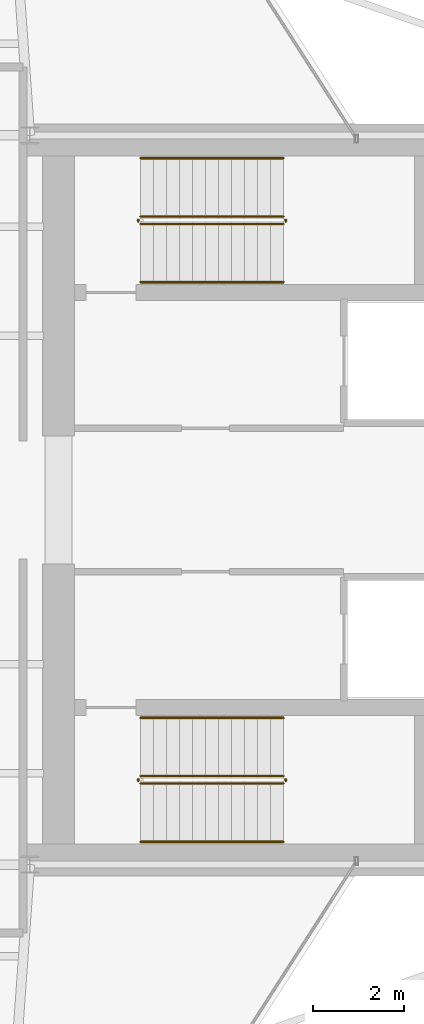
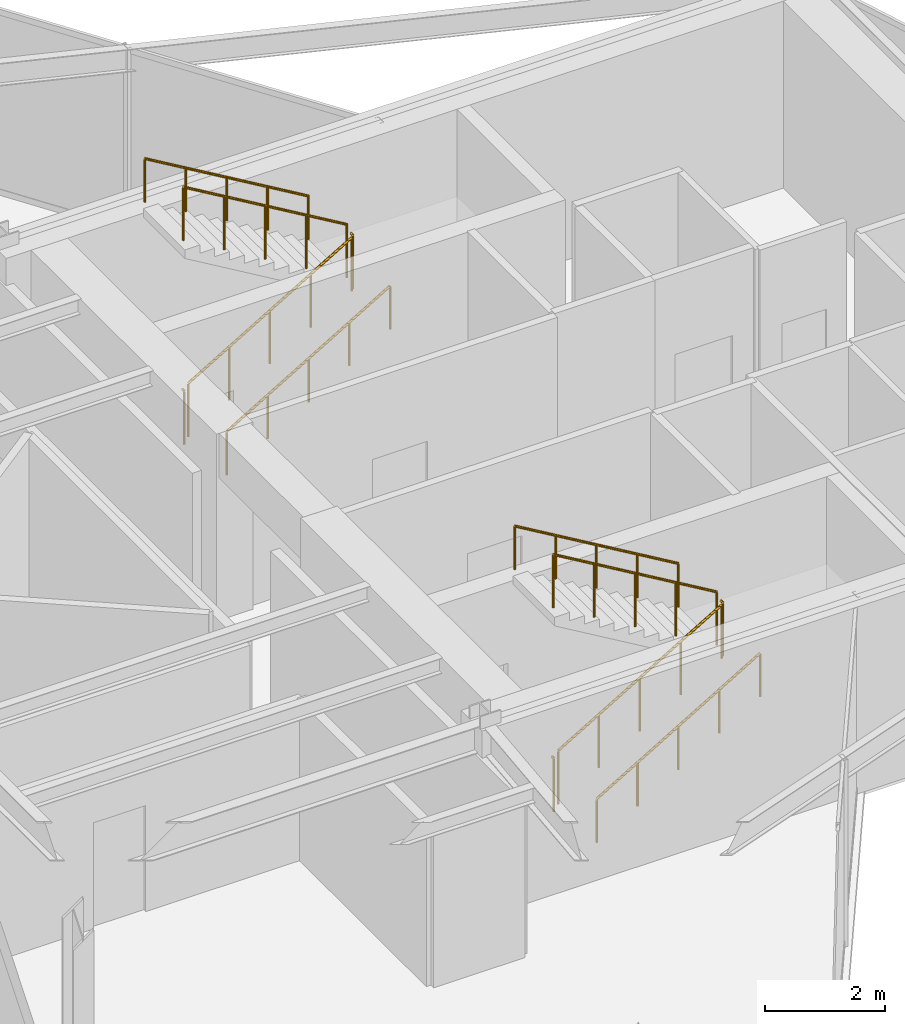
# One storey, part 23 of 23: 12 railings.
"""IFC4 building model written with IfcOpenShell, lengths in metres."""

from ifc_helpers import new_model, si_unit, direction, frame, origin, origin_2d, place, context, subcontext, project, spatial, circle, extrude, material, type_object, element, save


model = new_model("IFC4")

# Units and contexts
model_context = context("Model", 3, precision=1e-05, world=origin(), true_north=direction((0.0, 1.0)))
body_context = subcontext(model_context, "Body", "Model", "MODEL_VIEW")
ifc_project = project(units=[si_unit("LENGTHUNIT", "METRE"), si_unit("AREAUNIT", "SQUARE_METRE"), si_unit("VOLUMEUNIT", "CUBIC_METRE"), si_unit("PLANEANGLEUNIT", "RADIAN"), si_unit("MASSUNIT", "GRAM", prefix="KILO")], contexts=[model_context])

# Site, building, storey
site_placement = place(None, origin())
site = spatial("IfcSite", under=ifc_project, at=site_placement, CompositionType="ELEMENT")
building_placement = place(site_placement, origin())
building = spatial("IfcBuilding", under=site, at=building_placement, Name="Veymaron Broadcast Tower", CompositionType="ELEMENT")
storey_placement = place(building_placement, frame((0.0, 0.0, 199.949951171875)))
storey = spatial("IfcBuildingStorey", under=building, at=storey_placement, Name="L46", CompositionType="ELEMENT", Elevation=199.949951171875)

# Railings
ifc_material_1 = material(Name="Brushed stainless steel AISI 304", Category="steel")
railing_type_1 = type_object("IfcRailingType", Name="RAIL-STAIR-HR", PredefinedType="HANDRAIL", material=ifc_material_1)
railing_1_placement = place(storey_placement, frame((41.429931640625, 28.780029296875, 0.168701171875)))
element("IfcRailing", 1, at=railing_1_placement, inside=storey, type_object=railing_type_1, Name="L46 ST1 stair handrail 1", PredefinedType="HANDRAIL", context=body_context, shape_type="SweptSolid", body=[
    extrude(circle(Radius=0.02392578125, at=origin_2d()), frame((0.0, 0.0, 0.8759765625), z_axis=(0.860452582533, 0.0, 0.509530522356), x_axis=(0.0, 1.0, 0.0)), (0.0, 0.0, 1.0), 3.6435546875),
    extrude(circle(Radius=0.02099609375, at=origin_2d()), origin(), (0.0, 0.0, 1.0), 0.851806640625),
    extrude(circle(Radius=0.02099609375, at=origin_2d()), frame((0.78369140625, 0.0, 0.464111328125)), (0.0, 0.0, 1.0), 0.851806640625),
    extrude(circle(Radius=0.02099609375, at=origin_2d()), frame((1.5673828125, 0.0, 0.92822265625)), (0.0, 0.0, 1.0), 0.851806640625),
    extrude(circle(Radius=0.02099609375, at=origin_2d()), frame((2.351318359375, 0.0, 1.392333984375)), (0.0, 0.0, 1.0), 0.851806640625),
    extrude(circle(Radius=0.02099609375, at=origin_2d()), frame((3.135009765625, 0.0, 1.8564453125)), (0.0, 0.0, 1.0), 0.851806640625),
])
railing_2_placement = place(storey_placement, frame((44.56494140625, 31.5, 2.19384765625)))
element("IfcRailing", 2, at=railing_2_placement, inside=storey, type_object=railing_type_1, Name="L46 ST1 stair handrail 2", PredefinedType="HANDRAIL", context=body_context, shape_type="SweptSolid", body=[
    extrude(circle(Radius=0.02392578125, at=origin_2d()), frame((0.0, 0.0, 0.8759765625), z_axis=(-0.860481960309, 0.0, 0.509480908359), x_axis=(0.0, -1.0, 0.0)), (0.0, 0.0, 1.0), 3.643310546875),
    extrude(circle(Radius=0.02099609375, at=origin_2d()), origin(), (0.0, 0.0, 1.0), 0.851806640625),
    extrude(circle(Radius=0.02099609375, at=origin_2d()), frame((-0.78369140625, 0.0, 0.464111328125)), (0.0, 0.0, 1.0), 0.851806640625),
    extrude(circle(Radius=0.02099609375, at=origin_2d()), frame((-1.5673828125, 0.0, 0.92822265625)), (0.0, 0.0, 1.0), 0.851806640625),
    extrude(circle(Radius=0.02099609375, at=origin_2d()), frame((-2.351318359375, 0.0, 1.39208984375)), (0.0, 0.0, 1.0), 0.851806640625),
    extrude(circle(Radius=0.02099609375, at=origin_2d()), frame((-3.135009765625, 0.0, 1.856201171875)), (0.0, 0.0, 1.0), 0.851806640625),
])
railing_3_placement = place(storey_placement, frame((41.429931640625, 16.5, 0.168701171875)))
element("IfcRailing", 3, at=railing_3_placement, inside=storey, type_object=railing_type_1, Name="L46 ST2 stair handrail 1", PredefinedType="HANDRAIL", context=body_context, shape_type="SweptSolid", body=[
    extrude(circle(Radius=0.02392578125, at=origin_2d()), frame((0.0, 0.0, 0.8759765625), z_axis=(0.860452582533, 0.0, 0.509530522356), x_axis=(0.0, 1.0, 0.0)), (0.0, 0.0, 1.0), 3.6435546875),
    extrude(circle(Radius=0.02099609375, at=origin_2d()), origin(), (0.0, 0.0, 1.0), 0.851806640625),
    extrude(circle(Radius=0.02099609375, at=origin_2d()), frame((0.78369140625, 0.0, 0.464111328125)), (0.0, 0.0, 1.0), 0.851806640625),
    extrude(circle(Radius=0.02099609375, at=origin_2d()), frame((1.5673828125, 0.0, 0.92822265625)), (0.0, 0.0, 1.0), 0.851806640625),
    extrude(circle(Radius=0.02099609375, at=origin_2d()), frame((2.351318359375, 0.0, 1.392333984375)), (0.0, 0.0, 1.0), 0.851806640625),
    extrude(circle(Radius=0.02099609375, at=origin_2d()), frame((3.135009765625, 0.0, 1.8564453125)), (0.0, 0.0, 1.0), 0.851806640625),
])
railing_4_placement = place(storey_placement, frame((44.56494140625, 19.219970703125, 2.19384765625)))
element("IfcRailing", 4, at=railing_4_placement, inside=storey, type_object=railing_type_1, Name="L46 ST2 stair handrail 2", PredefinedType="HANDRAIL", context=body_context, shape_type="SweptSolid", body=[
    extrude(circle(Radius=0.02392578125, at=origin_2d()), frame((0.0, 0.0, 0.8759765625), z_axis=(-0.860481960309, 0.0, 0.509480908359), x_axis=(0.0, -1.0, 0.0)), (0.0, 0.0, 1.0), 3.643310546875),
    extrude(circle(Radius=0.02099609375, at=origin_2d()), origin(), (0.0, 0.0, 1.0), 0.851806640625),
    extrude(circle(Radius=0.02099609375, at=origin_2d()), frame((-0.78369140625, 0.0, 0.464111328125)), (0.0, 0.0, 1.0), 0.851806640625),
    extrude(circle(Radius=0.02099609375, at=origin_2d()), frame((-1.5673828125, 0.0, 0.92822265625)), (0.0, 0.0, 1.0), 0.851806640625),
    extrude(circle(Radius=0.02099609375, at=origin_2d()), frame((-2.351318359375, 0.0, 1.39208984375)), (0.0, 0.0, 1.0), 0.851806640625),
    extrude(circle(Radius=0.02099609375, at=origin_2d()), frame((-3.135009765625, 0.0, 1.856201171875)), (0.0, 0.0, 1.0), 0.851806640625),
])
ifc_material_2 = material(Name="Painted galvanized steel balustrade", Category="steel")
railing_type_2 = type_object("IfcRailingType", Name="RAIL-WELL-GRD", PredefinedType="GUARDRAIL", material=ifc_material_2)
railing_5_placement = place(storey_placement, frame((41.429931640625, 30.06005859375, 0.168701171875)))
element("IfcRailing", 5, at=railing_5_placement, inside=storey, type_object=railing_type_2, Name="L46 ST1 stair guard 1", PredefinedType="GUARDRAIL", context=body_context, shape_type="SweptSolid", body=[
    extrude(circle(Radius=0.02392578125, at=origin_2d()), frame((0.0, 0.0, 1.076171875), z_axis=(0.860452582533, 0.0, 0.509530522356), x_axis=(0.0, 1.0, 0.0)), (0.0, 0.0, 1.0), 3.6435546875),
    extrude(circle(Radius=0.02099609375, at=origin_2d()), origin(), (0.0, 0.0, 1.0), 1.052001953125),
    extrude(circle(Radius=0.02099609375, at=origin_2d()), frame((0.78369140625, 0.0, 0.464111328125)), (0.0, 0.0, 1.0), 1.052001953125),
    extrude(circle(Radius=0.02099609375, at=origin_2d()), frame((1.5673828125, 0.0, 0.92822265625)), (0.0, 0.0, 1.0), 1.052001953125),
    extrude(circle(Radius=0.02099609375, at=origin_2d()), frame((2.351318359375, 0.0, 1.392333984375)), (0.0, 0.0, 1.0), 1.052001953125),
    extrude(circle(Radius=0.02099609375, at=origin_2d()), frame((3.135009765625, 0.0, 1.8564453125)), (0.0, 0.0, 1.0), 1.052001953125),
])
railing_6_placement = place(storey_placement, frame((44.614990234375, 30.110107421875, 2.025146484375)))
element("IfcRailing", 6, at=railing_6_placement, inside=storey, type_object=railing_type_2, Name="L46 ST1 stair guard 2", PredefinedType="GUARDRAIL", context=body_context, shape_type="SweptSolid", body=[
    extrude(circle(Radius=0.02392578125, at=origin_2d()), frame((0.0, 0.0, 1.076171875), z_axis=(0.0, 1.0, 0.0), x_axis=(-1.0, 0.0, 0.0)), (0.0, 0.0, 1.0), 0.059814453125),
    extrude(circle(Radius=0.02099609375, at=origin_2d()), origin(), (0.0, 0.0, 1.0), 1.052001953125),
])
railing_7_placement = place(storey_placement, frame((44.56494140625, 30.219970703125, 2.19384765625)))
element("IfcRailing", 7, at=railing_7_placement, inside=storey, type_object=railing_type_2, Name="L46 ST1 stair guard 3", PredefinedType="GUARDRAIL", context=body_context, shape_type="SweptSolid", body=[
    extrude(circle(Radius=0.02392578125, at=origin_2d()), frame((0.0, 0.0, 1.076171875), z_axis=(-0.860481960309, 0.0, 0.509480908359), x_axis=(0.0, -1.0, 0.0)), (0.0, 0.0, 1.0), 3.643310546875),
    extrude(circle(Radius=0.02099609375, at=origin_2d()), origin(), (0.0, 0.0, 1.0), 1.052001953125),
    extrude(circle(Radius=0.02099609375, at=origin_2d()), frame((-0.78369140625, 0.0, 0.464111328125)), (0.0, 0.0, 1.0), 1.052001953125),
    extrude(circle(Radius=0.02099609375, at=origin_2d()), frame((-1.5673828125, 0.0, 0.92822265625)), (0.0, 0.0, 1.0), 1.052001953125),
    extrude(circle(Radius=0.02099609375, at=origin_2d()), frame((-2.351318359375, 0.0, 1.39208984375)), (0.0, 0.0, 1.0), 1.052001953125),
    extrude(circle(Radius=0.02099609375, at=origin_2d()), frame((-3.135009765625, 0.0, 1.856201171875)), (0.0, 0.0, 1.0), 1.052001953125),
])
railing_8_placement = place(storey_placement, frame((41.3798828125, 30.110107421875, 0.0)))
element("IfcRailing", 8, at=railing_8_placement, inside=storey, type_object=railing_type_2, Name="L46 ST1 stair guard 4", PredefinedType="GUARDRAIL", context=body_context, shape_type="SweptSolid", body=[
    extrude(circle(Radius=0.02392578125, at=origin_2d()), frame((0.0, 0.0, 1.076171875), z_axis=(0.0, 1.0, 0.0), x_axis=(-1.0, 0.0, 0.0)), (0.0, 0.0, 1.0), 0.059814453125),
    extrude(circle(Radius=0.02099609375, at=origin_2d()), origin(), (0.0, 0.0, 1.0), 1.052001953125),
])
railing_9_placement = place(storey_placement, frame((41.429931640625, 17.780029296875, 0.168701171875)))
element("IfcRailing", 9, at=railing_9_placement, inside=storey, type_object=railing_type_2, Name="L46 ST2 stair guard 1", PredefinedType="GUARDRAIL", context=body_context, shape_type="SweptSolid", body=[
    extrude(circle(Radius=0.02392578125, at=origin_2d()), frame((0.0, 0.0, 1.076171875), z_axis=(0.860452582533, 0.0, 0.509530522356), x_axis=(0.0, 1.0, 0.0)), (0.0, 0.0, 1.0), 3.6435546875),
    extrude(circle(Radius=0.02099609375, at=origin_2d()), origin(), (0.0, 0.0, 1.0), 1.052001953125),
    extrude(circle(Radius=0.02099609375, at=origin_2d()), frame((0.78369140625, 0.0, 0.464111328125)), (0.0, 0.0, 1.0), 1.052001953125),
    extrude(circle(Radius=0.02099609375, at=origin_2d()), frame((1.5673828125, 0.0, 0.92822265625)), (0.0, 0.0, 1.0), 1.052001953125),
    extrude(circle(Radius=0.02099609375, at=origin_2d()), frame((2.351318359375, 0.0, 1.392333984375)), (0.0, 0.0, 1.0), 1.052001953125),
    extrude(circle(Radius=0.02099609375, at=origin_2d()), frame((3.135009765625, 0.0, 1.8564453125)), (0.0, 0.0, 1.0), 1.052001953125),
])
railing_10_placement = place(storey_placement, frame((44.614990234375, 17.830078125, 2.025146484375)))
element("IfcRailing", 10, at=railing_10_placement, inside=storey, type_object=railing_type_2, Name="L46 ST2 stair guard 2", PredefinedType="GUARDRAIL", context=body_context, shape_type="SweptSolid", body=[
    extrude(circle(Radius=0.02392578125, at=origin_2d()), frame((0.0, 0.0, 1.076171875), z_axis=(0.0, 1.0, 0.0), x_axis=(-1.0, 0.0, 0.0)), (0.0, 0.0, 1.0), 0.059814453125),
    extrude(circle(Radius=0.02099609375, at=origin_2d()), origin(), (0.0, 0.0, 1.0), 1.052001953125),
])
railing_11_placement = place(storey_placement, frame((44.56494140625, 17.93994140625, 2.19384765625)))
element("IfcRailing", 11, at=railing_11_placement, inside=storey, type_object=railing_type_2, Name="L46 ST2 stair guard 3", PredefinedType="GUARDRAIL", context=body_context, shape_type="SweptSolid", body=[
    extrude(circle(Radius=0.02392578125, at=origin_2d()), frame((0.0, 0.0, 1.076171875), z_axis=(-0.860481960309, 0.0, 0.509480908359), x_axis=(0.0, -1.0, 0.0)), (0.0, 0.0, 1.0), 3.643310546875),
    extrude(circle(Radius=0.02099609375, at=origin_2d()), origin(), (0.0, 0.0, 1.0), 1.052001953125),
    extrude(circle(Radius=0.02099609375, at=origin_2d()), frame((-0.78369140625, 0.0, 0.464111328125)), (0.0, 0.0, 1.0), 1.052001953125),
    extrude(circle(Radius=0.02099609375, at=origin_2d()), frame((-1.5673828125, 0.0, 0.92822265625)), (0.0, 0.0, 1.0), 1.052001953125),
    extrude(circle(Radius=0.02099609375, at=origin_2d()), frame((-2.351318359375, 0.0, 1.39208984375)), (0.0, 0.0, 1.0), 1.052001953125),
    extrude(circle(Radius=0.02099609375, at=origin_2d()), frame((-3.135009765625, 0.0, 1.856201171875)), (0.0, 0.0, 1.0), 1.052001953125),
])
railing_12_placement = place(storey_placement, frame((41.3798828125, 17.830078125, 0.0)))
element("IfcRailing", 12, at=railing_12_placement, inside=storey, type_object=railing_type_2, Name="L46 ST2 stair guard 4", PredefinedType="GUARDRAIL", context=body_context, shape_type="SweptSolid", body=[
    extrude(circle(Radius=0.02392578125, at=origin_2d()), frame((0.0, 0.0, 1.076171875), z_axis=(0.0, 1.0, 0.0), x_axis=(-1.0, 0.0, 0.0)), (0.0, 0.0, 1.0), 0.059814453125),
    extrude(circle(Radius=0.02099609375, at=origin_2d()), origin(), (0.0, 0.0, 1.0), 1.052001953125),
])

save(model, "model.ifc")
